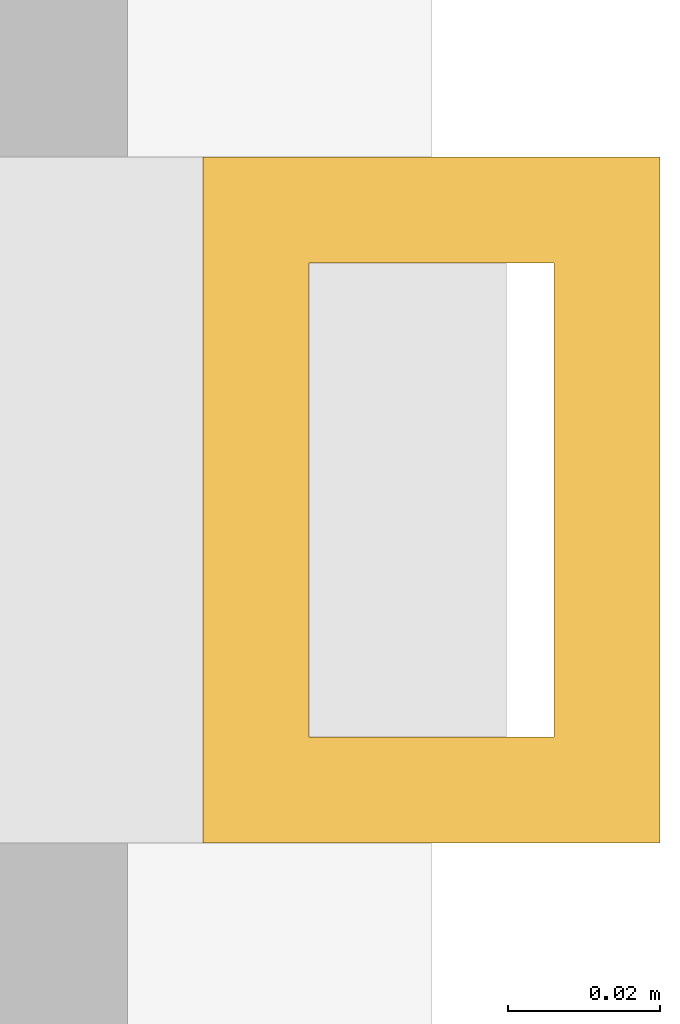
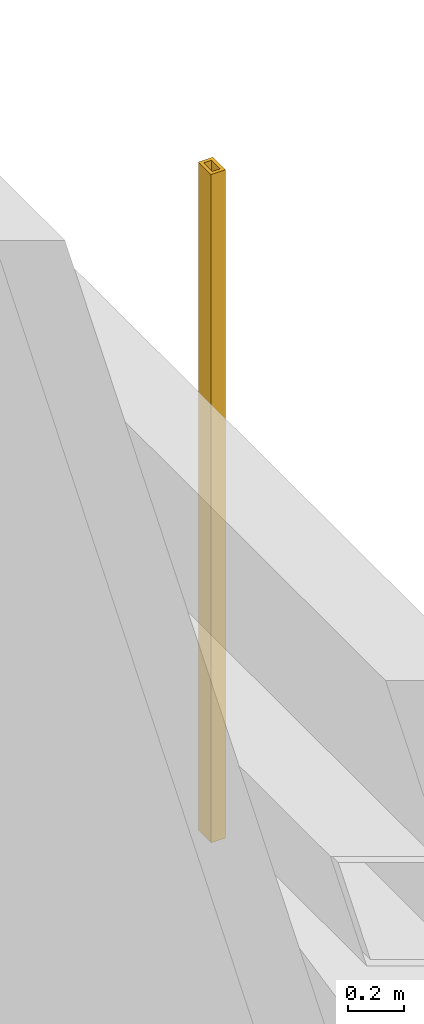
# One storey, part 26 of 28: 1 shading device.
"""IFC4 building model written with IfcOpenShell, lengths in metres."""

from ifc_helpers import new_model, si_unit, direction, frame, origin, origin_2d, place, context, subcontext, project, spatial, hollow_rectangle, extrude, material, material_profile, profile_set, type_object, element, save


model = new_model("IFC4")

# Units and contexts
model_context = context("Model", 3, precision=1e-05, world=origin(), true_north=direction((0.0, 1.0)))
body_context = subcontext(model_context, "Body", "Model", "MODEL_VIEW")
ifc_project = project(units=[si_unit("LENGTHUNIT", "METRE"), si_unit("AREAUNIT", "SQUARE_METRE"), si_unit("VOLUMEUNIT", "CUBIC_METRE"), si_unit("PLANEANGLEUNIT", "RADIAN"), si_unit("MASSUNIT", "GRAM", prefix="KILO")], contexts=[model_context])

# Site, building, storey
site_placement = place(None, origin())
site = spatial("IfcSite", under=ifc_project, at=site_placement, CompositionType="ELEMENT")
building_placement = place(site_placement, origin())
building = spatial("IfcBuilding", under=site, at=building_placement, Name="Punatoya Terracotta Tower", CompositionType="ELEMENT")
storey_placement = place(building_placement, frame((0.0, 0.0, 93.0)))
storey = spatial("IfcBuildingStorey", under=building, at=storey_placement, Name="L21", CompositionType="ELEMENT", Elevation=93.0)

# Shading device
ifc_material = material(Name="Architectural Fired Terracotta", Category="masonry")
ifc_material_profile = material_profile(ifc_material, hollow_rectangle(XDim=0.06005859375, YDim=0.090087890625, WallThickness=0.013916015625, at=origin_2d()))
ifc_profile_set = profile_set([ifc_material_profile], Name="Architectural Fired Terracotta")
shading_device_type = type_object("IfcShadingDeviceType", Name="SHD-JALI-90", PredefinedType="JALOUSIE", material=ifc_profile_set)
shading_device_placement = place(storey_placement, frame((25.050048828125, 11.493408203125, 0.60009765625), z_axis=(0.0, 0.0, 1.0), x_axis=(1.0, 0.0, 0.0)))
element("IfcShadingDevice", 1, at=shading_device_placement, inside=storey, type_object=shading_device_type, Name="L21 Braced Bay Terracotta Jali Fin E2", PredefinedType="JALOUSIE", context=body_context, shape_type="SweptSolid", body=[
    extrude(hollow_rectangle(XDim=0.06005859375, YDim=0.090087890625, WallThickness=0.013916015625, at=origin_2d()), origin(), (0.0, 0.0, 1.0), 2.909912109375),
])

save(model, "model.ifc")
